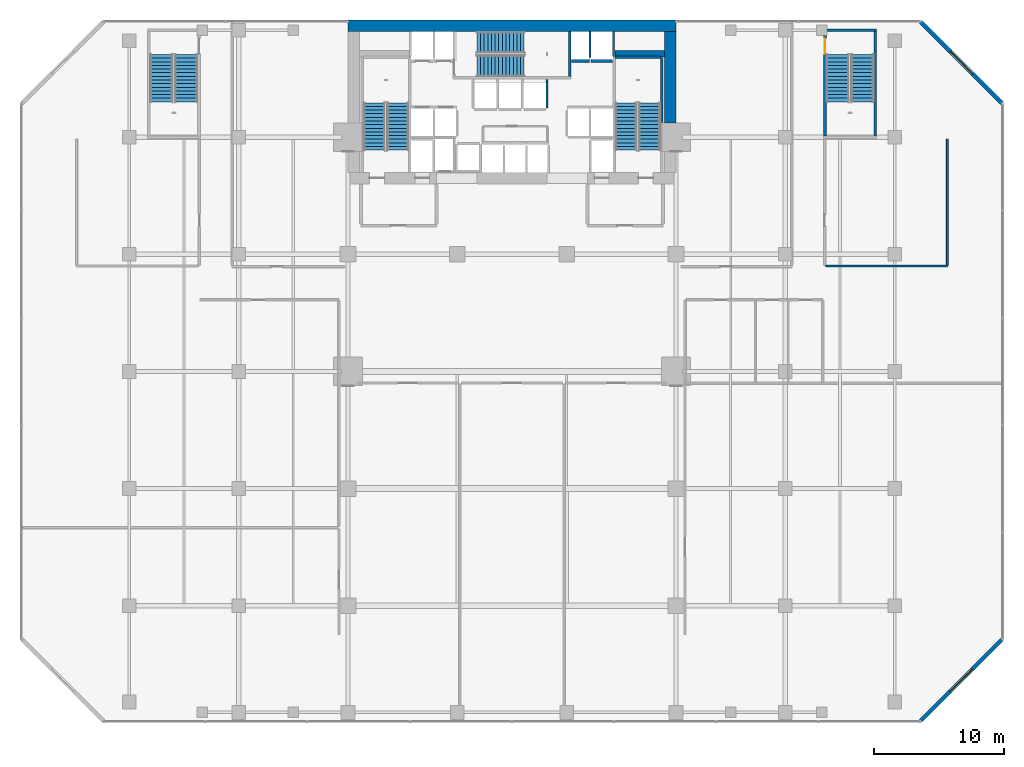
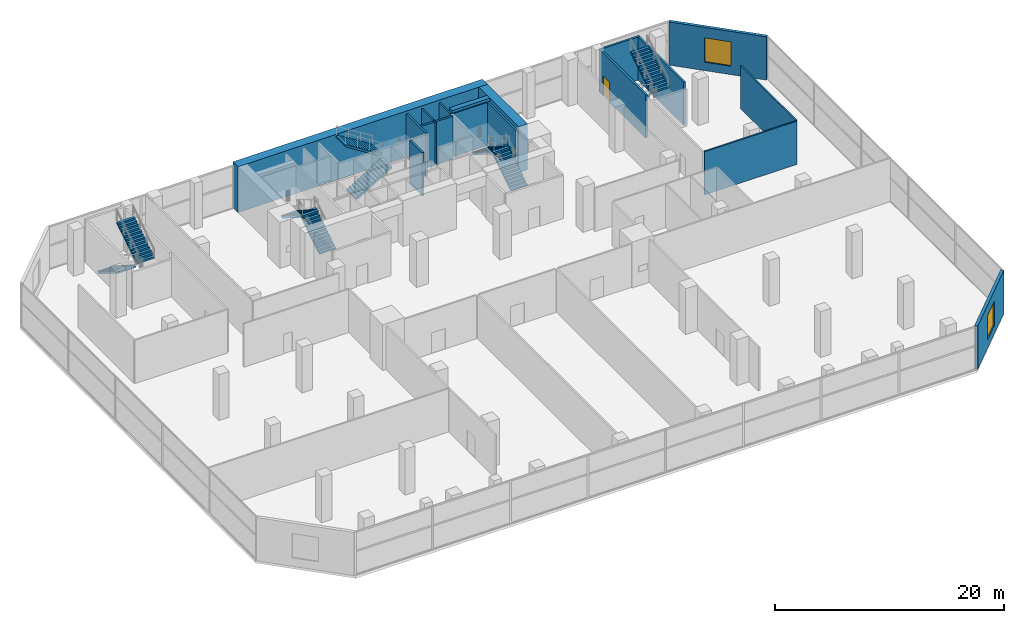
# One storey, part 37 of 39: 18 walls, 10 stair flights, 2 windows, 1 door, 3 openings, 5 elements without a shape of their own.
"""IFC4 building model written with IfcOpenShell, lengths in metres."""

import ifcopenshell
import ifcopenshell.guid

model = None  # the IFC model being written
_history = None  # IfcOwnerHistory: only IFC2X3 demands one
_inside = {}  # id of a spatial element -> (the spatial element, [elements in it])
_under = {}  # id of a project, library or spatial element -> (it, [spatial elements below it])
_declared = {}  # id of a project -> (the project, [libraries it declares])
_typed = {}  # id of a type object -> (the type object, [elements of that type])
_made_of = {}  # id of a material, layer set ... -> (it, [elements and type objects made of it])


def new_model(schema):
    """Start an empty IFC model of exactly this schema.

    Asked for "IFC4X3", IfcOpenShell would pick the latest addendum, in which some entities
    have other attributes; the version numbers below select the first issue.
    IFC2X3 requires an IfcOwnerHistory on every rooted entity: one is made here for all.
    """
    global model, _history
    if schema == "IFC4X3":
        model = ifcopenshell.file(schema_version=(4, 3, 0, 0))
    else:
        model = ifcopenshell.file(schema=schema)
    _inside.clear()
    _under.clear()
    _declared.clear()
    _typed.clear()
    _made_of.clear()
    _history = None
    if model.schema == "IFC2X3":
        org = make("IfcOrganization", Name="unknown")
        user = make(
            "IfcPersonAndOrganization",
            ThePerson=make("IfcPerson", FamilyName="unknown"),
            TheOrganization=org,
        )
        app = make(
            "IfcApplication",
            ApplicationDeveloper=org,
            Version="unknown",
            ApplicationFullName="unknown",
            ApplicationIdentifier="unknown",
        )
        _history = make(
            "IfcOwnerHistory",
            OwningUser=user,
            OwningApplication=app,
            ChangeAction="ADDED",
            CreationDate=0,
        )
    return model


def make(cls, **values):
    """One entity of the class cls with the attributes given. An attribute that is None is left unset."""
    return model.create_entity(
        cls, **{name: value for name, value in values.items() if value is not None}
    )


def rooted(cls, **values):
    """An entity with a GlobalId (a new one), such as an element, a storey or a relation."""
    return make(cls, GlobalId=ifcopenshell.guid.new(), OwnerHistory=_history, **values)


def si_unit(unit_type, name, prefix=None):
    """IfcSIUnit, for example si_unit("LENGTHUNIT", "METRE", prefix="MILLI")."""
    return make("IfcSIUnit", UnitType=unit_type, Prefix=prefix, Name=name)


def assignment(units):
    """IfcUnitAssignment: the units of a project."""
    return None if units is None else make("IfcUnitAssignment", Units=units)


def point(xyz):
    """IfcCartesianPoint."""
    return None if xyz is None else make("IfcCartesianPoint", Coordinates=xyz)


def direction(xyz):
    """IfcDirection."""
    return None if xyz is None else make("IfcDirection", DirectionRatios=xyz)


def frame(location, z_axis=None, x_axis=None):
    """IfcAxis2Placement3D, a coordinate frame: its origin and axes. An axis left out is left unset."""
    return make(
        "IfcAxis2Placement3D",
        Location=point(location),
        Axis=direction(z_axis),
        RefDirection=direction(x_axis),
    )


def frame_2d(location, x_axis=None):
    """IfcAxis2Placement2D, a coordinate frame in the plane: its origin and x axis."""
    return make(
        "IfcAxis2Placement2D", Location=point(location), RefDirection=direction(x_axis)
    )


def origin():
    """The frame at (0, 0, 0) with its axes left unset."""
    return frame((0.0, 0.0, 0.0))


def place(relative_to, where):
    """IfcLocalPlacement: puts the frame where relative to a parent placement (None: the world)."""
    return make(
        "IfcLocalPlacement", PlacementRelTo=relative_to, RelativePlacement=where
    )


def context(
    kind, dimensions, precision=None, world=None, true_north=None, identifier=None
):
    """IfcGeometricRepresentationContext, for example the 3D "Model" context."""
    return make(
        "IfcGeometricRepresentationContext",
        ContextIdentifier=identifier,
        ContextType=kind,
        CoordinateSpaceDimension=dimensions,
        Precision=precision,
        WorldCoordinateSystem=world,
        TrueNorth=true_north,
    )


def subcontext(parent, identifier, kind, view, scale=None):
    """IfcGeometricRepresentationSubContext, for example "Body" below "Model"."""
    return make(
        "IfcGeometricRepresentationSubContext",
        ContextIdentifier=identifier,
        ContextType=kind,
        ParentContext=parent,
        TargetScale=scale,
        TargetView=view,
    )


def project(units=None, contexts=None):
    """IfcProject with its units and contexts."""
    return rooted(
        "IfcProject",
        Name="project",
        RepresentationContexts=contexts,
        UnitsInContext=assignment(units),
    )


def spatial(cls, under=None, at=None, **own):
    """A site, building, storey or space (cls), placed at a placement, below another one or the project."""
    s = rooted(cls, ObjectPlacement=at, **own)
    if under is not None:
        _under.setdefault(under.id(), (under, []))[1].append(s)
    return s


def polyline(points):
    """IfcPolyline through the points."""
    return make("IfcPolyline", Points=[point(p) for p in points])


def profile(cls, at=None, kind="AREA", **sizes):
    """A parametric profile (cls). Its sizes go by their IFC names, for example OverallWidth=200.0."""
    return make(cls, ProfileType=kind, Position=at, **sizes)


def rectangle(**sizes):
    """IfcRectangleProfileDef."""
    return profile("IfcRectangleProfileDef", **sizes)


def outline(outer, holes=None, kind="AREA"):
    """IfcArbitraryClosedProfileDef: a profile drawn as a closed curve; with holes, ...WithVoids."""
    if holes is None:
        return make("IfcArbitraryClosedProfileDef", ProfileType=kind, OuterCurve=outer)
    return make(
        "IfcArbitraryProfileDefWithVoids",
        ProfileType=kind,
        OuterCurve=outer,
        InnerCurves=holes,
    )


def extrude(swept, where, along, depth):
    """IfcExtrudedAreaSolid: the profile swept, set in the frame where, extruded along a direction by depth."""
    return make(
        "IfcExtrudedAreaSolid",
        SweptArea=swept,
        Position=where,
        ExtrudedDirection=direction(along),
        Depth=depth,
    )


def shape(context_of_items, identifier, shape_type, items):
    """IfcShapeRepresentation: the items that make up one representation, for example the "Body"."""
    return make(
        "IfcShapeRepresentation",
        ContextOfItems=context_of_items,
        RepresentationIdentifier=identifier,
        RepresentationType=shape_type,
        Items=items,
    )


def material(Name=None, Category=None):
    """IfcMaterial."""
    return make("IfcMaterial", Name=Name, Category=Category)


def layer(
    of_material, thickness, ventilated=None, Name=None, Category=None, Priority=None
):
    """IfcMaterialLayer: one layer of a wall or slab, of a material (None: an air gap)."""
    return make(
        "IfcMaterialLayer",
        Material=of_material,
        LayerThickness=thickness,
        IsVentilated=ventilated,
        Name=Name,
        Category=Category,
        Priority=Priority,
    )


def layer_set(layers, Name=None):
    """IfcMaterialLayerSet."""
    return make("IfcMaterialLayerSet", MaterialLayers=layers, LayerSetName=Name)


def made_of(thing, what):
    """Note that an element or type object is made of a material, layer set ...; save() writes the relation."""
    if what is not None:
        _made_of.setdefault(what.id(), (what, []))[1].append(thing)
    return thing


def type_object(cls, material=None, **own):
    """A type object (cls), such as IfcWallType, which elements share."""
    return made_of(rooted(cls, **own), material)


def element(
    cls,
    number,
    at=None,
    inside=None,
    cuts=None,
    type_object=None,
    material=None,
    context=None,
    identifier="Body",
    shape_type=None,
    held_by="IfcProductDefinitionShape",
    body=None,
    shapes=None,
    **own,
):
    """One element of the class cls, such as IfcWall. Its Tag is "e" and its number.

    at: its placement. inside: the storey or other place that contains it. cuts: it is an
    opening in that element (IfcRelVoidsElement). A single representation is given by context,
    identifier, shape_type and body (its items); several are given by shapes. held_by: the class
    of the entity that holds the representations. save() writes the other relations.
    """
    e = rooted(cls, Tag="e%d" % number, ObjectPlacement=at, **own)
    if body is not None:
        shapes = [shape(context, identifier, shape_type, body)]
    if shapes is not None:
        e.Representation = make(held_by, Representations=shapes)
    if inside is not None:
        _inside.setdefault(inside.id(), (inside, []))[1].append(e)
    if cuts is not None:
        rooted(
            "IfcRelVoidsElement", RelatingBuildingElement=cuts, RelatedOpeningElement=e
        )
    if type_object is not None:
        _typed.setdefault(type_object.id(), (type_object, []))[1].append(e)
    return made_of(e, material)


def fill(opening, filler):
    """IfcRelFillsElement: the door or window that sits in an opening."""
    return rooted(
        "IfcRelFillsElement",
        RelatingOpeningElement=opening,
        RelatedBuildingElement=filler,
    )


def aggregate(whole, parts):
    """IfcRelAggregates: a whole, such as a stair, and the parts it consists of."""
    return rooted("IfcRelAggregates", RelatingObject=whole, RelatedObjects=parts)


def save(model, path):
    """Write the relations noted so far, then the file.

    IfcRelAggregates (storeys below a building ...), IfcRelContainedInSpatialStructure (elements
    in a storey), IfcRelDefinesByType, IfcRelAssociatesMaterial and IfcRelDeclares: one each for
    every whole, place, type object, material and project.
    """
    for whole, parts in _under.values():
        aggregate(whole, parts)
    for where, things in _inside.values():
        rooted(
            "IfcRelContainedInSpatialStructure",
            RelatedElements=things,
            RelatingStructure=where,
        )
    for kind, things in _typed.values():
        rooted("IfcRelDefinesByType", RelatedObjects=things, RelatingType=kind)
    for what, things in _made_of.values():
        rooted("IfcRelAssociatesMaterial", RelatedObjects=things, RelatingMaterial=what)
    for by, libraries in _declared.values():
        rooted("IfcRelDeclares", RelatingContext=by, RelatedDefinitions=libraries)
    model.write(path)


model = new_model("IFC4")

# Units and contexts
model_context = context("Model", 3, precision=1e-05, world=origin(), true_north=direction((0.0, 1.0)))
body_context = subcontext(model_context, "Body", "Model", "MODEL_VIEW")
ifc_project = project(units=[si_unit("LENGTHUNIT", "METRE"), si_unit("AREAUNIT", "SQUARE_METRE"), si_unit("VOLUMEUNIT", "CUBIC_METRE"), si_unit("PLANEANGLEUNIT", "RADIAN"), si_unit("MASSUNIT", "GRAM", prefix="KILO")], contexts=[model_context])

# Site, building, storey
site_placement = place(None, origin())
site = spatial("IfcSite", under=ifc_project, at=site_placement, CompositionType="ELEMENT")
building_placement = place(site_placement, origin())
building = spatial("IfcBuilding", under=site, at=building_placement, Name="Maruvema Waterfront Hotel and Observation Tower", CompositionType="ELEMENT")
storey_placement = place(building_placement, frame((0.0, 0.0, 16.449951171875)))
storey = spatial("IfcBuildingStorey", under=building, at=storey_placement, Name="L03", CompositionType="ELEMENT", Elevation=16.449951171875)

# Walls
ifc_material_1 = material(Name="Twin-stud acoustic gypsum drywall", Category="gypsum")
ifc_layer_1 = layer(ifc_material_1, 0.14990234375, Name="Acoustic Corridor and Suite Demising Wall 150 mm")
ifc_layer_set_1 = layer_set([ifc_layer_1], Name="Twin-stud acoustic gypsum drywall")
wall_type_1 = type_object("IfcWallType", Name="Acoustic Corridor and Suite Demising Wall 150 mm", PredefinedType="PARTITIONING", material=ifc_layer_set_1)
wall_1_placement = place(storey_placement, frame((61.89990234375, 35.10009765625, 0.0), z_axis=(0.0, 0.0, 1.0), x_axis=(1.0, 0.0, 0.0)))
element("IfcWall", 1, at=wall_1_placement, inside=storey, type_object=wall_type_1, Name="L03 L03 AV South Wall 039", PredefinedType="PARTITIONING", context=body_context, shape_type="SweptSolid", body=[
    extrude(rectangle(XDim=9.35009765625, YDim=0.14990234375, at=frame_2d((4.675048828125, 0.0))), origin(), (0.0, 0.0, 1.0), 4.6201171875),
])
wall_2_placement = place(storey_placement, frame((71.25, 35.14990234375, 0.0), z_axis=(0.0, 0.0, 1.0), x_axis=(0.0, 1.0, 0.0)))
element("IfcWall", 2, at=wall_2_placement, inside=storey, type_object=wall_type_1, Name="L03 L03 AV East Wall 040", PredefinedType="PARTITIONING", context=body_context, shape_type="SweptSolid", body=[
    extrude(rectangle(XDim=9.7001953125, YDim=0.14990234375, at=frame_2d((4.85009765625, 0.0))), origin(), (0.0, 0.0, 1.0), 4.6201171875),
])
ifc_material_2 = material(Name="Precast concrete C45/55", Category="concrete")
ifc_layer_2 = layer(ifc_material_2, 0.199951171875, Name="Core Shaft and Stairwell Enclosure Wall 200 mm")
ifc_layer_set_2 = layer_set([ifc_layer_2], Name="Precast concrete C45/55")
wall_type_2 = type_object("IfcWallType", Name="Core Shaft and Stairwell Enclosure Wall 200 mm", PredefinedType="SOLIDWALL", material=ifc_layer_set_2)
wall_3_placement = place(storey_placement, frame((42.25, 49.64990234375, 0.0), z_axis=(0.0, 0.0, 1.0), x_axis=(0.0, 1.0, 0.0)))
element("IfcWall", 3, at=wall_3_placement, inside=storey, type_object=wall_type_2, Name="L03 Stairwell ST-02 Shaft Wall", PredefinedType="SOLIDWALL", context=body_context, shape_type="SweptSolid", body=[
    extrude(rectangle(XDim=3.4501953125, YDim=0.199951171875, at=frame_2d((1.72509765625, 0.0))), origin(), (0.0, 0.0, 1.0), 4.6201171875),
])
wall_4_placement = place(storey_placement, frame((49.300048828125, 46.1201171875, 0.0), z_axis=(0.0, 0.0, 1.0), x_axis=(0.0, 1.0, 0.0)))
element("IfcWall", 4, at=wall_4_placement, inside=storey, type_object=wall_type_2, Name="L03 Stairwell ST-03 Shaft Lining Wall", PredefinedType="SOLIDWALL", context=body_context, shape_type="SweptSolid", body=[
    extrude(rectangle(XDim=5.0, YDim=0.199951171875, at=frame_2d((2.5, 0.0))), origin(), (0.0, 0.0, 1.0), 4.6201171875),
])
wall_5_placement = place(storey_placement, frame((45.719970703125, 51.14990234375, 0.0), z_axis=(0.0, 0.0, 1.0), x_axis=(1.0, 0.0, 0.0)))
element("IfcWall", 5, at=wall_5_placement, inside=storey, type_object=wall_type_2, Name="L03 Stairwell ST-03 Shaft Lining Wall", PredefinedType="SOLIDWALL", context=body_context, shape_type="SweptSolid", body=[
    extrude(rectangle(XDim=3.5, YDim=0.199951171875, at=frame_2d((1.75, 0.0))), origin(), (0.0, 0.0, 1.0), 4.6201171875),
])

# Wall, opening, door
wall_6_placement = place(storey_placement, frame((61.85009765625, 45.10009765625, 0.0), z_axis=(0.0, 0.0, 1.0), x_axis=(0.0, 1.0, 0.0)))
wall_6 = element("IfcWall", 6, at=wall_6_placement, inside=storey, type_object=wall_type_2, Name="L03 Stairwell ST-05 Shaft Wall", PredefinedType="SOLIDWALL", context=body_context, shape_type="SweptSolid", body=[
    extrude(rectangle(XDim=8.099853515625, YDim=0.199951171875, at=frame_2d((4.0498046875, 0.0))), origin(), (0.0, 0.0, 1.0), 4.6201171875),
])
opening_1_placement = place(wall_6_placement, frame((6.320068359375, 0.0, 0.0)))
opening_1 = element("IfcOpeningElement", 7, at=opening_1_placement, cuts=wall_6, Name="Opening SD-01", PredefinedType="OPENING", context=body_context, shape_type="SweptSolid", body=[
    extrude(rectangle(XDim=1.14990234375, YDim=2.14990234375, at=frame_2d((0.574951171875, 1.074951171875))), frame((0.0, 0.10986328125, 0.0), z_axis=(0.0, -1.0, 0.0), x_axis=(1.0, 0.0, 0.0)), (0.0, 0.0, 1.0), 0.219970703125),
])
ifc_material_3 = material(Name="Fire-rated galvanised steel leaf", Category="steel")
door_type = type_object("IfcDoorType", Name="Exit Stair Fire Door 1150x2150 mm", OperationType="NOTDEFINED", PredefinedType="DOOR", material=ifc_material_3)
door_placement = place(opening_1_placement, frame((1.14990234375, 0.0, 0.0), z_axis=(0.0, 0.0, 1.0), x_axis=(-1.0, 0.0, 0.0)))
door = element("IfcDoor", 8, at=door_placement, inside=storey, type_object=door_type, Name="L03 Exit Stair ST-05 Fire Door", OperationType="SINGLE_SWING_LEFT", OverallHeight=2.14990234375, OverallWidth=1.14990234375, PredefinedType="DOOR", context=body_context, shape_type="SweptSolid", body=[
    extrude(rectangle(XDim=1.14990234375, YDim=2.14990234375, at=frame_2d((0.574951171875, 1.074951171875))), frame((0.0, 0.02490234375, 0.0), z_axis=(0.0, -1.0, 0.0), x_axis=(1.0, 0.0, 0.0)), (0.0, 0.0, 1.0), 0.050048828125),
])
fill(opening_1, door)

# Walls
wall_7_placement = place(storey_placement, frame((65.699951171875, 45.10009765625, 0.0), z_axis=(0.0, 0.0, 1.0), x_axis=(0.0, 1.0, 0.0)))
element("IfcWall", 9, at=wall_7_placement, inside=storey, type_object=wall_type_2, Name="L03 Stairwell ST-05 Shaft Wall", PredefinedType="SOLIDWALL", context=body_context, shape_type="SweptSolid", body=[
    extrude(rectangle(XDim=8.099853515625, YDim=0.199951171875, at=frame_2d((4.0498046875, 0.0))), origin(), (0.0, 0.0, 1.0), 4.6201171875),
])
wall_8_placement = place(storey_placement, frame((61.75, 53.199951171875, 0.0), z_axis=(0.0, 0.0, 1.0), x_axis=(1.0, 0.0, 0.0)))
element("IfcWall", 10, at=wall_8_placement, inside=storey, type_object=wall_type_2, Name="L03 Stairwell ST-05 Shaft Wall", PredefinedType="SOLIDWALL", context=body_context, shape_type="SweptSolid", body=[
    extrude(rectangle(XDim=4.050048828125, YDim=0.199951171875, at=frame_2d((2.02490234375, 0.0))), origin(), (0.0, 0.0, 1.0), 4.6201171875),
])
wall_9_placement = place(storey_placement, frame((42.360107421875, 50.85009765625, 0.0), z_axis=(0.0, 0.0, 1.0), x_axis=(1.0, 0.0, 0.0)))
element("IfcWall", 11, at=wall_9_placement, inside=storey, type_object=wall_type_2, Name="L03 Lift LF-07 Hoistway Front Wall", PredefinedType="SOLIDWALL", context=body_context, shape_type="SweptSolid", body=[
    extrude(rectangle(XDim=1.3798828125, YDim=0.199951171875, at=frame_2d((0.68994140625, 0.0))), origin(), (0.0, 0.0, 1.0), 4.6201171875),
])
wall_10_placement = place(storey_placement, frame((43.860107421875, 50.85009765625, 0.0), z_axis=(0.0, 0.0, 1.0), x_axis=(1.0, 0.0, 0.0)))
element("IfcWall", 12, at=wall_10_placement, inside=storey, type_object=wall_type_2, Name="L03 Lift LF-08 Hoistway Front Wall", PredefinedType="SOLIDWALL", context=body_context, shape_type="SweptSolid", body=[
    extrude(rectangle(XDim=1.679931640625, YDim=0.199951171875, at=frame_2d((0.83984375, 0.0))), origin(), (0.0, 0.0, 1.0), 4.6201171875),
])
ifc_material_4 = material(Name="Concrete C70/85", Category="concrete")
ifc_layer_3 = layer(ifc_material_4, 0.5, Name="Core Shear Wall 500 mm")
ifc_layer_set_3 = layer_set([ifc_layer_3], Name="Concrete C70/85")
wall_type_3 = type_object("IfcWallType", Name="Core Shear Wall 500 mm", PredefinedType="SHEAR", material=ifc_layer_set_3)
wall_11_placement = place(storey_placement, frame((45.699951171875, 51.39990234375, 0.0), z_axis=(0.0, 0.0, 1.0), x_axis=(1.0, 0.0, 0.0)))
element("IfcWall", 13, at=wall_11_placement, inside=storey, type_object=wall_type_3, Name="L03 Internal Core Shear Wall NE 500 mm", PredefinedType="SHEAR", context=body_context, shape_type="SweptSolid", body=[
    extrude(rectangle(XDim=3.800048828125, YDim=0.5, at=frame_2d((1.89990234375, 0.0))), origin(), (0.0, 0.0, 1.0), 4.900146484375),
])
ifc_material_5 = material(Name="Concrete C80/95", Category="concrete")
ifc_layer_4 = layer(ifc_material_5, 0.89990234375, Name="Core Shear Wall 900 mm")
ifc_layer_set_4 = layer_set([ifc_layer_4], Name="Concrete C80/95")
wall_type_4 = type_object("IfcWallType", Name="Core Shear Wall 900 mm", PredefinedType="SHEAR", material=ifc_layer_set_4)
wall_12_placement = place(storey_placement, frame((25.199951171875, 53.550048828125, 0.0), z_axis=(0.0, 0.0, 1.0), x_axis=(1.0, 0.0, 0.0)))
element("IfcWall", 14, at=wall_12_placement, inside=storey, type_object=wall_type_4, Name="L03 North Core Shear Wall", PredefinedType="SHEAR", context=body_context, shape_type="SweptSolid", body=[
    extrude(rectangle(XDim=25.199951171875, YDim=0.89990234375, at=frame_2d((12.60009765625, 0.0))), origin(), (0.0, 0.0, 1.0), 4.900146484375),
])
wall_13_placement = place(storey_placement, frame((49.949951171875, 46.10009765625, 0.0), z_axis=(0.0, 0.0, 1.0), x_axis=(0.0, 1.0, 0.0)))
element("IfcWall", 15, at=wall_13_placement, inside=storey, type_object=wall_type_4, Name="L03 East-North Core Shear Wall", PredefinedType="SHEAR", context=body_context, shape_type="SweptSolid", body=[
    extrude(rectangle(XDim=7.0, YDim=0.89990234375, at=frame_2d((3.5, 0.0))), origin(), (0.0, 0.0, 1.0), 4.900146484375),
])
ifc_material_6 = material(Name="Precast concrete C45/55", Category="concrete")
ifc_layer_5 = layer(ifc_material_6, 0.159912109375, Name="Lift Hoistway Divider Wall 160 mm")
ifc_layer_set_5 = layer_set([ifc_layer_5], Name="Precast concrete C45/55")
wall_type_5 = type_object("IfcWallType", Name="Lift Hoistway Divider Wall 160 mm", PredefinedType="SOLIDWALL", material=ifc_layer_set_5)
wall_14_placement = place(storey_placement, frame((45.590087890625, 51.179931640625, 0.0), z_axis=(0.0, 0.0, 1.0), x_axis=(0.0, 1.0, 0.0)))
element("IfcWall", 16, at=wall_14_placement, inside=storey, type_object=wall_type_5, Name="L03 Hoistway Divider Wall", PredefinedType="SOLIDWALL", context=body_context, shape_type="SweptSolid", body=[
    extrude(rectangle(XDim=1.920166015625, YDim=0.159912109375, at=frame_2d((0.9599609375, 0.0))), origin(), (0.0, 0.0, 1.0), 4.6201171875),
])
wall_15_placement = place(storey_placement, frame((43.800048828125, 51.10009765625, 0.0), z_axis=(0.0, 0.0, 1.0), x_axis=(0.0, 1.0, 0.0)))
element("IfcWall", 17, at=wall_15_placement, inside=storey, type_object=wall_type_5, Name="L03 Hoistway Divider Wall", PredefinedType="SOLIDWALL", context=body_context, shape_type="SweptSolid", body=[
    extrude(rectangle(XDim=2.0, YDim=0.159912109375, at=frame_2d((1.0, 0.0))), origin(), (0.0, 0.0, 1.0), 4.6201171875),
])
wall_16_placement = place(storey_placement, frame((40.5, 47.25, 0.0), z_axis=(0.0, 0.0, 1.0), x_axis=(0.0, 1.0, 0.0)))
element("IfcWall", 18, at=wall_16_placement, inside=storey, type_object=wall_type_5, Name="L03 Hoistway Divider Wall", PredefinedType="SOLIDWALL", context=body_context, shape_type="SweptSolid", body=[
    extrude(rectangle(XDim=2.18994140625, YDim=0.159912109375, at=frame_2d((1.094970703125, 0.0))), origin(), (0.0, 0.0, 1.0), 4.6201171875),
])

# Wall, opening, window
ifc_material_7 = material(Name="Precast concrete C45/55 with honed Pernambuco granite facing", Category="masonry")
ifc_layer_6 = layer(ifc_material_7, 0.300048828125, Name="Podium Waterfront Granite Colonnade Wall 300 mm")
ifc_layer_set_6 = layer_set([ifc_layer_6], Name="Precast concrete C45/55 with honed Pernambuco granite facing")
wall_type_6 = type_object("IfcWallType", Name="Podium Waterfront Granite Colonnade Wall 300 mm", PredefinedType="SOLIDWALL", material=ifc_layer_set_6)
wall_17_placement = place(storey_placement, frame((69.199951171875, 0.14990234375, 0.0), z_axis=(0.0, 0.0, 1.0), x_axis=(0.707106781187, 0.707106781187, 0.0)))
wall_17 = element("IfcWall", 19, at=wall_17_placement, inside=storey, type_object=wall_type_6, Name="L03 Podium Chamfer Granite Pier Wall SE", PredefinedType="SOLIDWALL", context=body_context, shape_type="SweptSolid", body=[
    extrude(rectangle(XDim=8.8388671875, YDim=0.300048828125, at=frame_2d((4.41943359375, 0.0))), origin(), (0.0, 0.0, 1.0), 4.6201171875),
])
opening_2_placement = place(wall_17_placement, frame((3.199951171875, 0.0, 0.89990234375)))
opening_2 = element("IfcOpeningElement", 20, at=opening_2_placement, cuts=wall_17, Name="Opening WN-04", PredefinedType="OPENING", context=body_context, shape_type="SweptSolid", body=[
    extrude(rectangle(XDim=2.39990234375, YDim=2.60009765625, at=frame_2d((1.199951171875, 1.300048828125))), frame((0.0, 0.16015625, 0.0), z_axis=(0.0, -1.0, 0.0), x_axis=(1.0, 0.0, 0.0)), (0.0, 0.0, 1.0), 0.320068359375),
])
ifc_material_8 = material(Name="Anodised bronze aluminium frame with laminated low-E glass", Category="aluminium")
window_type = type_object("IfcWindowType", Name="Podium Waterfront Punched Window 2400x2600 mm", PartitioningType="SINGLE_PANEL", PredefinedType="WINDOW", material=ifc_material_8)
window_1_placement = place(opening_2_placement, origin())
window_1 = element("IfcWindow", 21, at=window_1_placement, inside=storey, type_object=window_type, Name="L03 Podium Chamfer Feature Window SE", OverallHeight=2.60009765625, OverallWidth=2.39990234375, PartitioningType="SINGLE_PANEL", PredefinedType="WINDOW", context=body_context, shape_type="SweptSolid", body=[
    extrude(rectangle(XDim=2.39990234375, YDim=2.60009765625, at=frame_2d((1.199951171875, 1.300048828125))), frame((0.0, 0.030029296875, 0.0), z_axis=(0.0, -1.0, 0.0), x_axis=(1.0, 0.0, 0.0)), (0.0, 0.0, 1.0), 0.06005859375),
])
fill(opening_2, window_1)

wall_18_placement = place(storey_placement, frame((75.449951171875, 47.60009765625, 0.0), z_axis=(0.0, 0.0, 1.0), x_axis=(-0.707106781187, 0.707106781187, 0.0)))
wall_18 = element("IfcWall", 22, at=wall_18_placement, inside=storey, type_object=wall_type_6, Name="L03 Podium Chamfer Granite Pier Wall NE", PredefinedType="SOLIDWALL", context=body_context, shape_type="SweptSolid", body=[
    extrude(rectangle(XDim=8.8388671875, YDim=0.300048828125, at=frame_2d((4.41943359375, 0.0))), origin(), (0.0, 0.0, 1.0), 4.6201171875),
])
opening_3_placement = place(wall_18_placement, frame((3.199951171875, 0.0, 0.89990234375)))
opening_3 = element("IfcOpeningElement", 23, at=opening_3_placement, cuts=wall_18, Name="Opening WN-04", PredefinedType="OPENING", context=body_context, shape_type="SweptSolid", body=[
    extrude(rectangle(XDim=2.39990234375, YDim=2.60009765625, at=frame_2d((1.199951171875, 1.300048828125))), frame((0.0, 0.16015625, 0.0), z_axis=(0.0, -1.0, 0.0), x_axis=(1.0, 0.0, 0.0)), (0.0, 0.0, 1.0), 0.320068359375),
])
window_2_placement = place(opening_3_placement, origin())
window_2 = element("IfcWindow", 24, at=window_2_placement, inside=storey, type_object=window_type, Name="L03 Podium Chamfer Feature Window NE", OverallHeight=2.60009765625, OverallWidth=2.39990234375, PartitioningType="SINGLE_PANEL", PredefinedType="WINDOW", context=body_context, shape_type="SweptSolid", body=[
    extrude(rectangle(XDim=2.39990234375, YDim=2.60009765625, at=frame_2d((1.199951171875, 1.300048828125))), frame((0.0, 0.030029296875, 0.0), z_axis=(0.0, -1.0, 0.0), x_axis=(1.0, 0.0, 0.0)), (0.0, 0.0, 1.0), 0.06005859375),
])
fill(opening_3, window_2)

# Stair, stair flights
ifc_material_9 = material(Name="Concrete C50/60", Category="concrete")
stair_type_1 = type_object("IfcStairType", Name="Dogleg Exit Stair 1650 mm (28R x 175.0 mm)", PredefinedType="HALF_TURN_STAIR", material=ifc_material_9)
stair_1_placement = place(storey_placement, origin())
stair_1 = element("IfcStair", 25, at=stair_1_placement, inside=storey, type_object=stair_type_1, Name="L03 ST-01", PredefinedType="HALF_TURN_STAIR")
ifc_material_10 = material(Name="Concrete C50/60", Category="concrete")
stair_flight_type_1 = type_object("IfcStairFlightType", Name="Reinforced Concrete Stair Flight 1650 mm (14R x 175.0 mm)", PredefinedType="STRAIGHT", material=ifc_material_10)
stair_flight_1_placement = place(storey_placement, frame((29.02490234375, 44.0, 0.0), z_axis=(0.0, 0.0, 1.0), x_axis=(0.0, 1.0, 0.0)))
stair_flight_1 = element("IfcStairFlight", 26, at=stair_flight_1_placement, type_object=stair_flight_type_1, Name="ST-01 flight 1", NumberOfRisers=14, NumberOfTreads=13, PredefinedType="STRAIGHT", RiserHeight=0.175, TreadLength=0.28, context=body_context, shape_type="SweptSolid", body=[
    extrude(outline(polyline([(0.0, 0.0), (0.0, 0.175048828125), (0.280029296875, 0.175048828125), (0.280029296875, 0.35009765625), (0.56005859375, 0.35009765625), (0.56005859375, 0.52490234375), (0.840087890625, 0.52490234375), (0.840087890625, 0.699951171875), (1.1201171875, 0.699951171875), (1.1201171875, 0.875), (1.39990234375, 0.875), (1.39990234375, 1.050048828125), (1.679931640625, 1.050048828125), (1.679931640625, 1.22509765625), (1.9599609375, 1.22509765625), (1.9599609375, 1.39990234375), (2.239990234375, 1.39990234375), (2.239990234375, 1.574951171875), (2.52001953125, 1.574951171875), (2.52001953125, 1.75), (2.800048828125, 1.75), (2.800048828125, 1.925048828125), (3.080078125, 1.925048828125), (3.080078125, 2.10009765625), (3.360107421875, 2.10009765625), (3.360107421875, 2.27490234375), (3.639892578125, 2.27490234375), (3.639892578125, 2.449951171875), (3.639892578125, 2.09814453125), (0.28271484375, 0.0), (0.0, 0.0)])), frame((0.0, 0.824951171875, 0.0), z_axis=(0.0, -1.0, 0.0), x_axis=(1.0, 0.0, 0.0)), (0.0, 0.0, 1.0), 1.64990234375),
])
stair_flight_2_placement = place(storey_placement, frame((27.22509765625, 47.639892578125, 2.449951171875), z_axis=(0.0, 0.0, 1.0), x_axis=(0.0, -1.0, 0.0)))
stair_flight_2 = element("IfcStairFlight", 27, at=stair_flight_2_placement, type_object=stair_flight_type_1, Name="ST-01 flight 2", NumberOfRisers=14, NumberOfTreads=13, PredefinedType="STRAIGHT", RiserHeight=0.175, TreadLength=0.28, context=body_context, shape_type="SweptSolid", body=[
    extrude(outline(polyline([(0.0, 0.0), (0.0, 0.175048828125), (0.280029296875, 0.175048828125), (0.280029296875, 0.35009765625), (0.56005859375, 0.35009765625), (0.56005859375, 0.52490234375), (0.840087890625, 0.52490234375), (0.840087890625, 0.699951171875), (1.1201171875, 0.699951171875), (1.1201171875, 0.875), (1.39990234375, 0.875), (1.39990234375, 1.050048828125), (1.679931640625, 1.050048828125), (1.679931640625, 1.22509765625), (1.9599609375, 1.22509765625), (1.9599609375, 1.39990234375), (2.239990234375, 1.39990234375), (2.239990234375, 1.574951171875), (2.52001953125, 1.574951171875), (2.52001953125, 1.75), (2.800048828125, 1.75), (2.800048828125, 1.925048828125), (3.080078125, 1.925048828125), (3.080078125, 2.10009765625), (3.360107421875, 2.10009765625), (3.360107421875, 2.27490234375), (3.639892578125, 2.27490234375), (3.639892578125, 2.449951171875), (3.639892578125, 2.09814453125), (0.28271484375, 0.0), (0.0, 0.0)])), frame((0.0, 0.824951171875, 0.0), z_axis=(0.0, -1.0, 0.0), x_axis=(1.0, 0.0, 0.0)), (0.0, 0.0, 1.0), 1.64990234375),
])
aggregate(stair_1, [stair_flight_1, stair_flight_2])

stair_2_placement = place(storey_placement, origin())
stair_2 = element("IfcStair", 28, at=stair_2_placement, inside=storey, type_object=stair_type_1, Name="L03 ST-02", PredefinedType="HALF_TURN_STAIR")
stair_flight_3_placement = place(storey_placement, frame((35.10009765625, 50.47509765625, 0.0), z_axis=(0.0, 0.0, 1.0), x_axis=(1.0, 0.0, 0.0)))
stair_flight_3 = element("IfcStairFlight", 29, at=stair_flight_3_placement, type_object=stair_flight_type_1, Name="ST-02 flight 1", NumberOfRisers=14, NumberOfTreads=13, PredefinedType="STRAIGHT", RiserHeight=0.175, TreadLength=0.28, context=body_context, shape_type="SweptSolid", body=[
    extrude(outline(polyline([(0.0, 0.0), (0.0, 0.175048828125), (0.280029296875, 0.175048828125), (0.280029296875, 0.35009765625), (0.56005859375, 0.35009765625), (0.56005859375, 0.52490234375), (0.840087890625, 0.52490234375), (0.840087890625, 0.699951171875), (1.1201171875, 0.699951171875), (1.1201171875, 0.875), (1.39990234375, 0.875), (1.39990234375, 1.050048828125), (1.679931640625, 1.050048828125), (1.679931640625, 1.22509765625), (1.9599609375, 1.22509765625), (1.9599609375, 1.39990234375), (2.239990234375, 1.39990234375), (2.239990234375, 1.574951171875), (2.52001953125, 1.574951171875), (2.52001953125, 1.75), (2.800048828125, 1.75), (2.800048828125, 1.925048828125), (3.080078125, 1.925048828125), (3.080078125, 2.10009765625), (3.360107421875, 2.10009765625), (3.360107421875, 2.27490234375), (3.639892578125, 2.27490234375), (3.639892578125, 2.449951171875), (3.639892578125, 2.09814453125), (0.28271484375, 0.0), (0.0, 0.0)])), frame((0.0, 0.824951171875, 0.0), z_axis=(0.0, -1.0, 0.0), x_axis=(1.0, 0.0, 0.0)), (0.0, 0.0, 1.0), 1.64990234375),
])
stair_flight_4_placement = place(storey_placement, frame((38.739990234375, 52.27490234375, 2.449951171875), z_axis=(0.0, 0.0, 1.0), x_axis=(-1.0, 0.0, 0.0)))
stair_flight_4 = element("IfcStairFlight", 30, at=stair_flight_4_placement, type_object=stair_flight_type_1, Name="ST-02 flight 2", NumberOfRisers=14, NumberOfTreads=13, PredefinedType="STRAIGHT", RiserHeight=0.175, TreadLength=0.28, context=body_context, shape_type="SweptSolid", body=[
    extrude(outline(polyline([(0.0, 0.0), (0.0, 0.175048828125), (0.280029296875, 0.175048828125), (0.280029296875, 0.35009765625), (0.56005859375, 0.35009765625), (0.56005859375, 0.52490234375), (0.840087890625, 0.52490234375), (0.840087890625, 0.699951171875), (1.1201171875, 0.699951171875), (1.1201171875, 0.875), (1.39990234375, 0.875), (1.39990234375, 1.050048828125), (1.679931640625, 1.050048828125), (1.679931640625, 1.22509765625), (1.9599609375, 1.22509765625), (1.9599609375, 1.39990234375), (2.239990234375, 1.39990234375), (2.239990234375, 1.574951171875), (2.52001953125, 1.574951171875), (2.52001953125, 1.75), (2.800048828125, 1.75), (2.800048828125, 1.925048828125), (3.080078125, 1.925048828125), (3.080078125, 2.10009765625), (3.360107421875, 2.10009765625), (3.360107421875, 2.27490234375), (3.639892578125, 2.27490234375), (3.639892578125, 2.449951171875), (3.639892578125, 2.09814453125), (0.28271484375, 0.0), (0.0, 0.0)])), frame((0.0, 0.824951171875, 0.0), z_axis=(0.0, -1.0, 0.0), x_axis=(1.0, 0.0, 0.0)), (0.0, 0.0, 1.0), 1.64990234375),
])
aggregate(stair_2, [stair_flight_3, stair_flight_4])

stair_3_placement = place(storey_placement, origin())
stair_3 = element("IfcStair", 31, at=stair_3_placement, inside=storey, type_object=stair_type_1, Name="L03 ST-03", PredefinedType="HALF_TURN_STAIR")
stair_flight_5_placement = place(storey_placement, frame((48.375, 44.0, 0.0), z_axis=(0.0, 0.0, 1.0), x_axis=(0.0, 1.0, 0.0)))
stair_flight_5 = element("IfcStairFlight", 32, at=stair_flight_5_placement, type_object=stair_flight_type_1, Name="ST-03 flight 1", NumberOfRisers=14, NumberOfTreads=13, PredefinedType="STRAIGHT", RiserHeight=0.175, TreadLength=0.28, context=body_context, shape_type="SweptSolid", body=[
    extrude(outline(polyline([(0.0, 0.0), (0.0, 0.175048828125), (0.280029296875, 0.175048828125), (0.280029296875, 0.35009765625), (0.56005859375, 0.35009765625), (0.56005859375, 0.52490234375), (0.840087890625, 0.52490234375), (0.840087890625, 0.699951171875), (1.1201171875, 0.699951171875), (1.1201171875, 0.875), (1.39990234375, 0.875), (1.39990234375, 1.050048828125), (1.679931640625, 1.050048828125), (1.679931640625, 1.22509765625), (1.9599609375, 1.22509765625), (1.9599609375, 1.39990234375), (2.239990234375, 1.39990234375), (2.239990234375, 1.574951171875), (2.52001953125, 1.574951171875), (2.52001953125, 1.75), (2.800048828125, 1.75), (2.800048828125, 1.925048828125), (3.080078125, 1.925048828125), (3.080078125, 2.10009765625), (3.360107421875, 2.10009765625), (3.360107421875, 2.27490234375), (3.639892578125, 2.27490234375), (3.639892578125, 2.449951171875), (3.639892578125, 2.09814453125), (0.28271484375, 0.0), (0.0, 0.0)])), frame((0.0, 0.824951171875, 0.0), z_axis=(0.0, -1.0, 0.0), x_axis=(1.0, 0.0, 0.0)), (0.0, 0.0, 1.0), 1.64990234375),
])
stair_flight_6_placement = place(storey_placement, frame((46.574951171875, 47.639892578125, 2.449951171875), z_axis=(0.0, 0.0, 1.0), x_axis=(0.0, -1.0, 0.0)))
stair_flight_6 = element("IfcStairFlight", 33, at=stair_flight_6_placement, type_object=stair_flight_type_1, Name="ST-03 flight 2", NumberOfRisers=14, NumberOfTreads=13, PredefinedType="STRAIGHT", RiserHeight=0.175, TreadLength=0.28, context=body_context, shape_type="SweptSolid", body=[
    extrude(outline(polyline([(0.0, 0.0), (0.0, 0.175048828125), (0.280029296875, 0.175048828125), (0.280029296875, 0.35009765625), (0.56005859375, 0.35009765625), (0.56005859375, 0.52490234375), (0.840087890625, 0.52490234375), (0.840087890625, 0.699951171875), (1.1201171875, 0.699951171875), (1.1201171875, 0.875), (1.39990234375, 0.875), (1.39990234375, 1.050048828125), (1.679931640625, 1.050048828125), (1.679931640625, 1.22509765625), (1.9599609375, 1.22509765625), (1.9599609375, 1.39990234375), (2.239990234375, 1.39990234375), (2.239990234375, 1.574951171875), (2.52001953125, 1.574951171875), (2.52001953125, 1.75), (2.800048828125, 1.75), (2.800048828125, 1.925048828125), (3.080078125, 1.925048828125), (3.080078125, 2.10009765625), (3.360107421875, 2.10009765625), (3.360107421875, 2.27490234375), (3.639892578125, 2.27490234375), (3.639892578125, 2.449951171875), (3.639892578125, 2.09814453125), (0.28271484375, 0.0), (0.0, 0.0)])), frame((0.0, 0.824951171875, 0.0), z_axis=(0.0, -1.0, 0.0), x_axis=(1.0, 0.0, 0.0)), (0.0, 0.0, 1.0), 1.64990234375),
])
aggregate(stair_3, [stair_flight_5, stair_flight_6])

ifc_material_11 = material(Name="Concrete C50/60", Category="concrete")
stair_type_2 = type_object("IfcStairType", Name="Dogleg Exit Stair 1750 mm (28R x 175.0 mm)", PredefinedType="HALF_TURN_STAIR", material=ifc_material_11)
stair_4_placement = place(storey_placement, origin())
stair_4 = element("IfcStair", 34, at=stair_4_placement, inside=storey, type_object=stair_type_2, Name="L03 ST-04", PredefinedType="HALF_TURN_STAIR")
ifc_material_12 = material(Name="Concrete C50/60", Category="concrete")
stair_flight_type_2 = type_object("IfcStairFlightType", Name="Reinforced Concrete Stair Flight 1750 mm (14R x 175.0 mm)", PredefinedType="STRAIGHT", material=ifc_material_12)
stair_flight_7_placement = place(storey_placement, frame((10.875, 51.35009765625, 0.0), z_axis=(0.0, 0.0, 1.0), x_axis=(0.0, -1.0, 0.0)))
stair_flight_7 = element("IfcStairFlight", 35, at=stair_flight_7_placement, type_object=stair_flight_type_2, Name="ST-04 flight 1", NumberOfRisers=14, NumberOfTreads=13, PredefinedType="STRAIGHT", RiserHeight=0.175, TreadLength=0.28, context=body_context, shape_type="SweptSolid", body=[
    extrude(outline(polyline([(0.0, 0.0), (0.0, 0.175048828125), (0.280029296875, 0.175048828125), (0.280029296875, 0.35009765625), (0.56005859375, 0.35009765625), (0.56005859375, 0.52490234375), (0.840087890625, 0.52490234375), (0.840087890625, 0.699951171875), (1.1201171875, 0.699951171875), (1.1201171875, 0.875), (1.39990234375, 0.875), (1.39990234375, 1.050048828125), (1.679931640625, 1.050048828125), (1.679931640625, 1.22509765625), (1.9599609375, 1.22509765625), (1.9599609375, 1.39990234375), (2.239990234375, 1.39990234375), (2.239990234375, 1.574951171875), (2.52001953125, 1.574951171875), (2.52001953125, 1.75), (2.800048828125, 1.75), (2.800048828125, 1.925048828125), (3.080078125, 1.925048828125), (3.080078125, 2.10009765625), (3.360107421875, 2.10009765625), (3.360107421875, 2.27490234375), (3.639892578125, 2.27490234375), (3.639892578125, 2.449951171875), (3.639892578125, 2.09814453125), (0.28271484375, 0.0), (0.0, 0.0)])), frame((0.0, 0.875, 0.0), z_axis=(0.0, -1.0, 0.0), x_axis=(1.0, 0.0, 0.0)), (0.0, 0.0, 1.0), 1.75),
])
stair_flight_8_placement = place(storey_placement, frame((12.77490234375, 47.7099609375, 2.449951171875), z_axis=(0.0, 0.0, 1.0), x_axis=(0.0, 1.0, 0.0)))
stair_flight_8 = element("IfcStairFlight", 36, at=stair_flight_8_placement, type_object=stair_flight_type_2, Name="ST-04 flight 2", NumberOfRisers=14, NumberOfTreads=13, PredefinedType="STRAIGHT", RiserHeight=0.175, TreadLength=0.28, context=body_context, shape_type="SweptSolid", body=[
    extrude(outline(polyline([(0.0, 0.0), (0.0, 0.175048828125), (0.280029296875, 0.175048828125), (0.280029296875, 0.35009765625), (0.56005859375, 0.35009765625), (0.56005859375, 0.52490234375), (0.840087890625, 0.52490234375), (0.840087890625, 0.699951171875), (1.1201171875, 0.699951171875), (1.1201171875, 0.875), (1.39990234375, 0.875), (1.39990234375, 1.050048828125), (1.679931640625, 1.050048828125), (1.679931640625, 1.22509765625), (1.9599609375, 1.22509765625), (1.9599609375, 1.39990234375), (2.239990234375, 1.39990234375), (2.239990234375, 1.574951171875), (2.52001953125, 1.574951171875), (2.52001953125, 1.75), (2.800048828125, 1.75), (2.800048828125, 1.925048828125), (3.080078125, 1.925048828125), (3.080078125, 2.10009765625), (3.360107421875, 2.10009765625), (3.360107421875, 2.27490234375), (3.639892578125, 2.27490234375), (3.639892578125, 2.449951171875), (3.639892578125, 2.09814453125), (0.28271484375, 0.0), (0.0, 0.0)])), frame((0.0, 0.875, 0.0), z_axis=(0.0, -1.0, 0.0), x_axis=(1.0, 0.0, 0.0)), (0.0, 0.0, 1.0), 1.75),
])
aggregate(stair_4, [stair_flight_7, stair_flight_8])

stair_5_placement = place(storey_placement, origin())
stair_5 = element("IfcStair", 37, at=stair_5_placement, inside=storey, type_object=stair_type_2, Name="L03 ST-05", PredefinedType="HALF_TURN_STAIR")
stair_flight_9_placement = place(storey_placement, frame((62.824951171875, 51.35009765625, 0.0), z_axis=(0.0, 0.0, 1.0), x_axis=(0.0, -1.0, 0.0)))
stair_flight_9 = element("IfcStairFlight", 38, at=stair_flight_9_placement, type_object=stair_flight_type_2, Name="ST-05 flight 1", NumberOfRisers=14, NumberOfTreads=13, PredefinedType="STRAIGHT", RiserHeight=0.175, TreadLength=0.28, context=body_context, shape_type="SweptSolid", body=[
    extrude(outline(polyline([(0.0, 0.0), (0.0, 0.175048828125), (0.280029296875, 0.175048828125), (0.280029296875, 0.35009765625), (0.56005859375, 0.35009765625), (0.56005859375, 0.52490234375), (0.840087890625, 0.52490234375), (0.840087890625, 0.699951171875), (1.1201171875, 0.699951171875), (1.1201171875, 0.875), (1.39990234375, 0.875), (1.39990234375, 1.050048828125), (1.679931640625, 1.050048828125), (1.679931640625, 1.22509765625), (1.9599609375, 1.22509765625), (1.9599609375, 1.39990234375), (2.239990234375, 1.39990234375), (2.239990234375, 1.574951171875), (2.52001953125, 1.574951171875), (2.52001953125, 1.75), (2.800048828125, 1.75), (2.800048828125, 1.925048828125), (3.080078125, 1.925048828125), (3.080078125, 2.10009765625), (3.360107421875, 2.10009765625), (3.360107421875, 2.27490234375), (3.639892578125, 2.27490234375), (3.639892578125, 2.449951171875), (3.639892578125, 2.09814453125), (0.28271484375, 0.0), (0.0, 0.0)])), frame((0.0, 0.875, 0.0), z_axis=(0.0, -1.0, 0.0), x_axis=(1.0, 0.0, 0.0)), (0.0, 0.0, 1.0), 1.75),
])
stair_flight_10_placement = place(storey_placement, frame((64.72509765625, 47.7099609375, 2.449951171875), z_axis=(0.0, 0.0, 1.0), x_axis=(0.0, 1.0, 0.0)))
stair_flight_10 = element("IfcStairFlight", 39, at=stair_flight_10_placement, type_object=stair_flight_type_2, Name="ST-05 flight 2", NumberOfRisers=14, NumberOfTreads=13, PredefinedType="STRAIGHT", RiserHeight=0.175, TreadLength=0.28, context=body_context, shape_type="SweptSolid", body=[
    extrude(outline(polyline([(0.0, 0.0), (0.0, 0.175048828125), (0.280029296875, 0.175048828125), (0.280029296875, 0.35009765625), (0.56005859375, 0.35009765625), (0.56005859375, 0.52490234375), (0.840087890625, 0.52490234375), (0.840087890625, 0.699951171875), (1.1201171875, 0.699951171875), (1.1201171875, 0.875), (1.39990234375, 0.875), (1.39990234375, 1.050048828125), (1.679931640625, 1.050048828125), (1.679931640625, 1.22509765625), (1.9599609375, 1.22509765625), (1.9599609375, 1.39990234375), (2.239990234375, 1.39990234375), (2.239990234375, 1.574951171875), (2.52001953125, 1.574951171875), (2.52001953125, 1.75), (2.800048828125, 1.75), (2.800048828125, 1.925048828125), (3.080078125, 1.925048828125), (3.080078125, 2.10009765625), (3.360107421875, 2.10009765625), (3.360107421875, 2.27490234375), (3.639892578125, 2.27490234375), (3.639892578125, 2.449951171875), (3.639892578125, 2.09814453125), (0.28271484375, 0.0), (0.0, 0.0)])), frame((0.0, 0.875, 0.0), z_axis=(0.0, -1.0, 0.0), x_axis=(1.0, 0.0, 0.0)), (0.0, 0.0, 1.0), 1.75),
])
aggregate(stair_5, [stair_flight_9, stair_flight_10])

save(model, "model.ifc")
